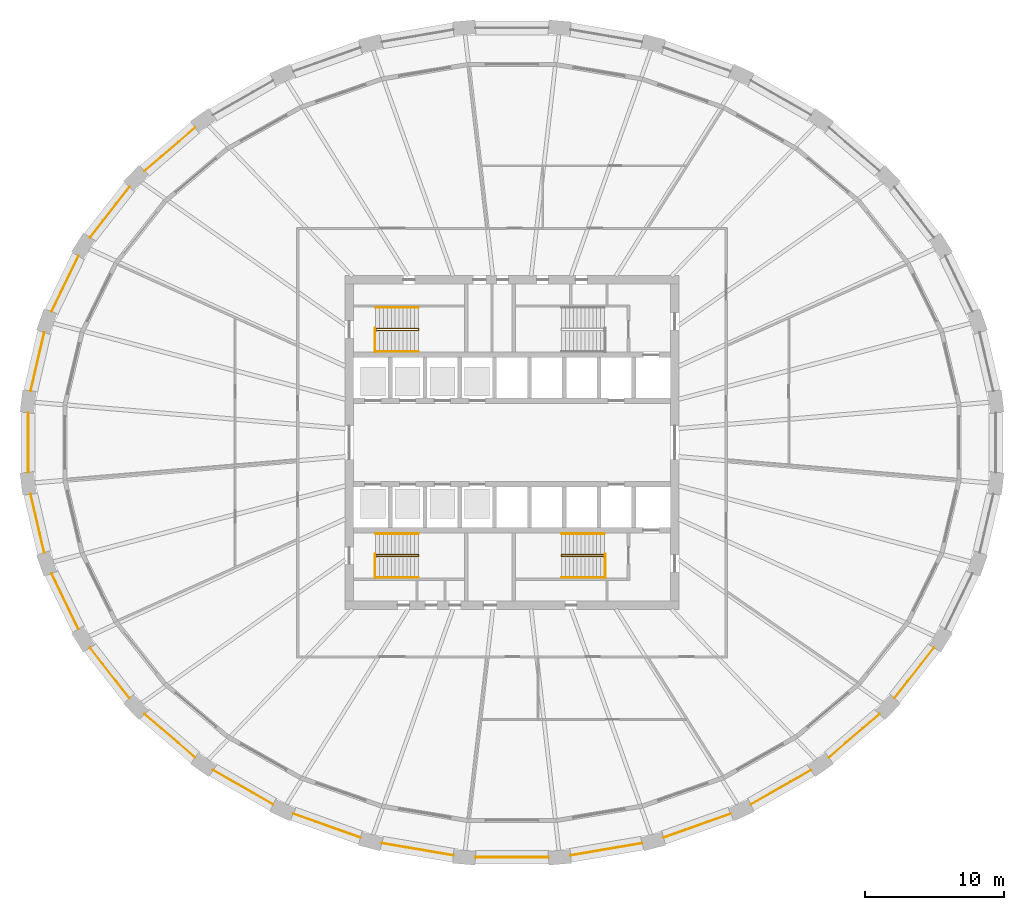
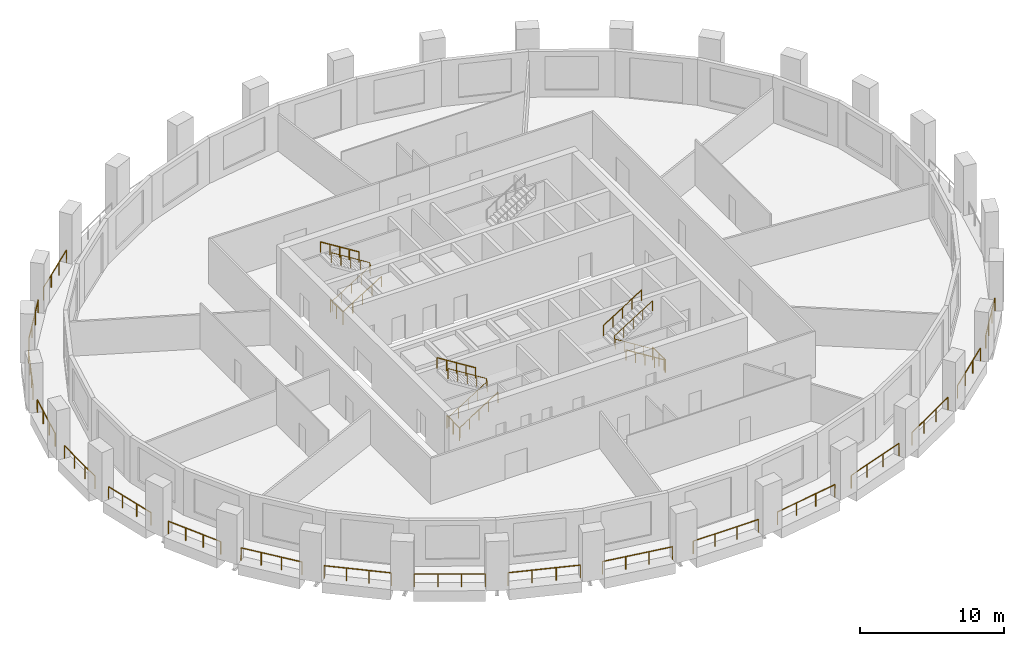
# One storey, part 8 of 10: 30 railings.
"""IFC4 building model written with IfcOpenShell, lengths in metres."""

from ifc_helpers import new_model, si_unit, direction, frame, origin, origin_2d, place, context, subcontext, project, spatial, circle, extrude, material, type_object, element, save


model = new_model("IFC4")

# Units and contexts
model_context = context("Model", 3, precision=1e-05, world=origin(), true_north=direction((0.0, 1.0)))
body_context = subcontext(model_context, "Body", "Model", "MODEL_VIEW")
ifc_project = project(units=[si_unit("LENGTHUNIT", "METRE"), si_unit("AREAUNIT", "SQUARE_METRE"), si_unit("VOLUMEUNIT", "CUBIC_METRE"), si_unit("PLANEANGLEUNIT", "RADIAN"), si_unit("MASSUNIT", "GRAM", prefix="KILO")], contexts=[model_context])

# Site, building, storey
site_placement = place(None, origin())
site = spatial("IfcSite", under=ifc_project, at=site_placement, CompositionType="ELEMENT")
building_placement = place(site_placement, origin())
building = spatial("IfcBuilding", under=site, at=building_placement, Name="Halqa Exchange Tower", CompositionType="ELEMENT")
storey_placement = place(building_placement, frame((0.0, 0.0, 117.10009765625)))
storey = spatial("IfcBuildingStorey", under=building, at=storey_placement, Name="L26", CompositionType="ELEMENT", Elevation=117.10009765625)

# Railings
ifc_material = material(Name="Stainless steel", Category="steel")
railing_type_1 = type_object("IfcRailingType", Name="Guard 1100 stainless steel", PredefinedType="GUARDRAIL", material=ifc_material)
railing_1_placement = place(storey_placement, frame((-22.77783203125, 22.635009765625, 0.0)))
element("IfcRailing", 1, at=railing_1_placement, inside=storey, type_object=railing_type_1, Name="Loggia guard 12", PredefinedType="GUARDRAIL", context=body_context, shape_type="SweptSolid", body=[
    extrude(circle(Radius=0.02392578125, at=origin_2d()), frame((0.0, 0.0, 1.076171875), z_axis=(-0.759213341011, -0.650841841641, 0.0), x_axis=(0.650841841641, -0.759213341011, 0.0)), (0.0, 0.0, 1.0), 4.780517578125),
    extrude(circle(Radius=0.02099609375, at=origin_2d()), origin(), (0.0, 0.0, 1.0), 1.052001953125),
    extrude(circle(Radius=0.02099609375, at=origin_2d()), frame((-1.209716796875, -1.037109375, 0.0)), (0.0, 0.0, 1.0), 1.052001953125),
    extrude(circle(Radius=0.02099609375, at=origin_2d()), frame((-2.419677734375, -2.07421875, 0.0)), (0.0, 0.0, 1.0), 1.052001953125),
    extrude(circle(Radius=0.02099609375, at=origin_2d()), frame((-3.62939453125, -3.111328125, 0.0)), (0.0, 0.0, 1.0), 1.052001953125),
])
railing_2_placement = place(storey_placement, frame((-27.506591796875, 18.372314453125, 0.0)))
element("IfcRailing", 2, at=railing_2_placement, inside=storey, type_object=railing_type_1, Name="Loggia guard 13", PredefinedType="GUARDRAIL", context=body_context, shape_type="SweptSolid", body=[
    extrude(circle(Radius=0.02392578125, at=origin_2d()), frame((0.0, 0.0, 1.076171875), z_axis=(-0.614794379483, -0.788687435526, 0.0), x_axis=(0.788687435526, -0.614794379483, 0.0)), (0.0, 0.0, 1.0), 4.591064453125),
    extrude(circle(Radius=0.02099609375, at=origin_2d()), origin(), (0.0, 0.0, 1.0), 1.052001953125),
    extrude(circle(Radius=0.02099609375, at=origin_2d()), frame((-0.94091796875, -1.20703125, 0.0)), (0.0, 0.0, 1.0), 1.052001953125),
    extrude(circle(Radius=0.02099609375, at=origin_2d()), frame((-1.881591796875, -2.413818359375, 0.0)), (0.0, 0.0, 1.0), 1.052001953125),
    extrude(circle(Radius=0.02099609375, at=origin_2d()), frame((-2.822509765625, -3.620849609375, 0.0)), (0.0, 0.0, 1.0), 1.052001953125),
])
railing_3_placement = place(storey_placement, frame((-31.1689453125, 13.400390625, 0.0)))
element("IfcRailing", 3, at=railing_3_placement, inside=storey, type_object=railing_type_1, Name="Loggia guard 14", PredefinedType="GUARDRAIL", context=body_context, shape_type="SweptSolid", body=[
    extrude(circle(Radius=0.02392578125, at=origin_2d()), frame((0.0, 0.0, 1.076171875), z_axis=(-0.43510232477, -0.900381012117, 0.0), x_axis=(0.900381012117, -0.43510232477, 0.0)), (0.0, 0.0, 1.0), 4.425537109375),
    extrude(circle(Radius=0.02099609375, at=origin_2d()), origin(), (0.0, 0.0, 1.0), 1.052001953125),
    extrude(circle(Radius=0.02099609375, at=origin_2d()), frame((-0.641845703125, -1.328125, 0.0)), (0.0, 0.0, 1.0), 1.052001953125),
    extrude(circle(Radius=0.02099609375, at=origin_2d()), frame((-1.28369140625, -2.656494140625, 0.0)), (0.0, 0.0, 1.0), 1.052001953125),
    extrude(circle(Radius=0.02099609375, at=origin_2d()), frame((-1.925537109375, -3.984619140625, 0.0)), (0.0, 0.0, 1.0), 1.052001953125),
])
railing_4_placement = place(storey_placement, frame((-33.623291015625, 7.916015625, 0.0)))
element("IfcRailing", 4, at=railing_4_placement, inside=storey, type_object=railing_type_1, Name="Loggia guard 15", PredefinedType="GUARDRAIL", context=body_context, shape_type="SweptSolid", body=[
    extrude(circle(Radius=0.02392578125, at=origin_2d()), frame((0.0, 0.0, 1.076171875), z_axis=(-0.226116277414, -0.974100317774, 0.0), x_axis=(0.974100317774, -0.226116277414, 0.0)), (0.0, 0.0, 1.0), 4.312255859375),
    extrude(circle(Radius=0.02099609375, at=origin_2d()), origin(), (0.0, 0.0, 1.0), 1.052001953125),
    extrude(circle(Radius=0.02099609375, at=origin_2d()), frame((-0.324951171875, -1.400146484375, 0.0)), (0.0, 0.0, 1.0), 1.052001953125),
    extrude(circle(Radius=0.02099609375, at=origin_2d()), frame((-0.650146484375, -2.800537109375, 0.0)), (0.0, 0.0, 1.0), 1.052001953125),
    extrude(circle(Radius=0.02099609375, at=origin_2d()), frame((-0.97509765625, -4.20068359375, 0.0)), (0.0, 0.0, 1.0), 1.052001953125),
])
railing_5_placement = place(storey_placement, frame((-34.779052734375, 2.135986328125, 0.0)))
element("IfcRailing", 5, at=railing_5_placement, inside=storey, type_object=railing_type_1, Name="Loggia guard 16", PredefinedType="GUARDRAIL", context=body_context, shape_type="SweptSolid", body=[
    extrude(circle(Radius=0.02392578125, at=origin_2d()), frame((0.0, 0.0, 1.076171875), z_axis=(0.0, -1.0, 0.0), x_axis=(1.0, 0.0, 0.0)), (0.0, 0.0, 1.0), 4.27197265625),
    extrude(circle(Radius=0.02099609375, at=origin_2d()), origin(), (0.0, 0.0, 1.0), 1.052001953125),
    extrude(circle(Radius=0.02099609375, at=origin_2d()), frame((0.0, -1.424072265625, 0.0)), (0.0, 0.0, 1.0), 1.052001953125),
    extrude(circle(Radius=0.02099609375, at=origin_2d()), frame((0.0, -2.847900390625, 0.0)), (0.0, 0.0, 1.0), 1.052001953125),
    extrude(circle(Radius=0.02099609375, at=origin_2d()), frame((0.0, -4.27197265625, 0.0)), (0.0, 0.0, 1.0), 1.052001953125),
])
railing_6_placement = place(storey_placement, frame((-34.598388671875, -3.71533203125, 0.0)))
element("IfcRailing", 6, at=railing_6_placement, inside=storey, type_object=railing_type_1, Name="Loggia guard 17", PredefinedType="GUARDRAIL", context=body_context, shape_type="SweptSolid", body=[
    extrude(circle(Radius=0.02392578125, at=origin_2d()), frame((0.0, 0.0, 1.076171875), z_axis=(0.226116277414, -0.974100317774, 0.0), x_axis=(0.974100317774, 0.226116277414, 0.0)), (0.0, 0.0, 1.0), 4.312255859375),
    extrude(circle(Radius=0.02099609375, at=origin_2d()), origin(), (0.0, 0.0, 1.0), 1.052001953125),
    extrude(circle(Radius=0.02099609375, at=origin_2d()), frame((0.324951171875, -1.400146484375, 0.0)), (0.0, 0.0, 1.0), 1.052001953125),
    extrude(circle(Radius=0.02099609375, at=origin_2d()), frame((0.650146484375, -2.800537109375, 0.0)), (0.0, 0.0, 1.0), 1.052001953125),
    extrude(circle(Radius=0.02099609375, at=origin_2d()), frame((0.97509765625, -4.20068359375, 0.0)), (0.0, 0.0, 1.0), 1.052001953125),
])
railing_7_placement = place(storey_placement, frame((-33.094482421875, -9.415771484375, 0.0)))
element("IfcRailing", 7, at=railing_7_placement, inside=storey, type_object=railing_type_1, Name="Loggia guard 18", PredefinedType="GUARDRAIL", context=body_context, shape_type="SweptSolid", body=[
    extrude(circle(Radius=0.02392578125, at=origin_2d()), frame((0.0, 0.0, 1.076171875), z_axis=(0.43510232477, -0.900381012117, 0.0), x_axis=(0.900381012117, 0.43510232477, 0.0)), (0.0, 0.0, 1.0), 4.425537109375),
    extrude(circle(Radius=0.02099609375, at=origin_2d()), origin(), (0.0, 0.0, 1.0), 1.052001953125),
    extrude(circle(Radius=0.02099609375, at=origin_2d()), frame((0.641845703125, -1.328125, 0.0)), (0.0, 0.0, 1.0), 1.052001953125),
    extrude(circle(Radius=0.02099609375, at=origin_2d()), frame((1.28369140625, -2.656494140625, 0.0)), (0.0, 0.0, 1.0), 1.052001953125),
    extrude(circle(Radius=0.02099609375, at=origin_2d()), frame((1.925537109375, -3.984619140625, 0.0)), (0.0, 0.0, 1.0), 1.052001953125),
])
railing_8_placement = place(storey_placement, frame((-30.3291015625, -14.75146484375, 0.0)))
element("IfcRailing", 8, at=railing_8_placement, inside=storey, type_object=railing_type_1, Name="Loggia guard 19", PredefinedType="GUARDRAIL", context=body_context, shape_type="SweptSolid", body=[
    extrude(circle(Radius=0.02392578125, at=origin_2d()), frame((0.0, 0.0, 1.076171875), z_axis=(0.614794379483, -0.788687435526, 0.0), x_axis=(0.788687435526, 0.614794379483, 0.0)), (0.0, 0.0, 1.0), 4.591064453125),
    extrude(circle(Radius=0.02099609375, at=origin_2d()), origin(), (0.0, 0.0, 1.0), 1.052001953125),
    extrude(circle(Radius=0.02099609375, at=origin_2d()), frame((0.94091796875, -1.20703125, 0.0)), (0.0, 0.0, 1.0), 1.052001953125),
    extrude(circle(Radius=0.02099609375, at=origin_2d()), frame((1.881591796875, -2.413818359375, 0.0)), (0.0, 0.0, 1.0), 1.052001953125),
    extrude(circle(Radius=0.02099609375, at=origin_2d()), frame((2.822509765625, -3.620849609375, 0.0)), (0.0, 0.0, 1.0), 1.052001953125),
])
railing_9_placement = place(storey_placement, frame((-26.4072265625, -19.523681640625, 0.0)))
element("IfcRailing", 9, at=railing_9_placement, inside=storey, type_object=railing_type_1, Name="Loggia guard 20", PredefinedType="GUARDRAIL", context=body_context, shape_type="SweptSolid", body=[
    extrude(circle(Radius=0.02392578125, at=origin_2d()), frame((0.0, 0.0, 1.076171875), z_axis=(0.759213341011, -0.650841841641, 0.0), x_axis=(0.650841841641, 0.759213341011, 0.0)), (0.0, 0.0, 1.0), 4.780517578125),
    extrude(circle(Radius=0.02099609375, at=origin_2d()), origin(), (0.0, 0.0, 1.0), 1.052001953125),
    extrude(circle(Radius=0.02099609375, at=origin_2d()), frame((1.209716796875, -1.037109375, 0.0)), (0.0, 0.0, 1.0), 1.052001953125),
    extrude(circle(Radius=0.02099609375, at=origin_2d()), frame((2.419677734375, -2.07421875, 0.0)), (0.0, 0.0, 1.0), 1.052001953125),
    extrude(circle(Radius=0.02099609375, at=origin_2d()), frame((3.62939453125, -3.111328125, 0.0)), (0.0, 0.0, 1.0), 1.052001953125),
])
railing_10_placement = place(storey_placement, frame((-21.476318359375, -23.552978515625, 0.0)))
element("IfcRailing", 10, at=railing_10_placement, inside=storey, type_object=railing_type_1, Name="Loggia guard 21", PredefinedType="GUARDRAIL", context=body_context, shape_type="SweptSolid", body=[
    extrude(circle(Radius=0.02392578125, at=origin_2d()), frame((0.0, 0.0, 1.076171875), z_axis=(0.867764594192, -0.496975461232, 0.0), x_axis=(0.496975461232, 0.867764594192, 0.0)), (0.0, 0.0, 1.0), 4.964599609375),
    extrude(circle(Radius=0.02099609375, at=origin_2d()), origin(), (0.0, 0.0, 1.0), 1.052001953125),
    extrude(circle(Radius=0.02099609375, at=origin_2d()), frame((1.43603515625, -0.822509765625, 0.0)), (0.0, 0.0, 1.0), 1.052001953125),
    extrude(circle(Radius=0.02099609375, at=origin_2d()), frame((2.8720703125, -1.644775390625, 0.0)), (0.0, 0.0, 1.0), 1.052001953125),
    extrude(circle(Radius=0.02099609375, at=origin_2d()), frame((4.30810546875, -2.46728515625, 0.0)), (0.0, 0.0, 1.0), 1.052001953125),
])
railing_11_placement = place(storey_placement, frame((-15.72021484375, -26.685546875, 0.0)))
element("IfcRailing", 11, at=railing_11_placement, inside=storey, type_object=railing_type_1, Name="Loggia guard 22", PredefinedType="GUARDRAIL", context=body_context, shape_type="SweptSolid", body=[
    extrude(circle(Radius=0.02392578125, at=origin_2d()), frame((0.0, 0.0, 1.076171875), z_axis=(0.942363208547, -0.334591666329, 0.0), x_axis=(0.334591666329, 0.942363208547, 0.0)), (0.0, 0.0, 1.0), 5.116455078125),
    extrude(circle(Radius=0.02099609375, at=origin_2d()), origin(), (0.0, 0.0, 1.0), 1.052001953125),
    extrude(circle(Radius=0.02099609375, at=origin_2d()), frame((1.607177734375, -0.570556640625, 0.0)), (0.0, 0.0, 1.0), 1.052001953125),
    extrude(circle(Radius=0.02099609375, at=origin_2d()), frame((3.21435546875, -1.141357421875, 0.0)), (0.0, 0.0, 1.0), 1.052001953125),
    extrude(circle(Radius=0.02099609375, at=origin_2d()), frame((4.821533203125, -1.7119140625, 0.0)), (0.0, 0.0, 1.0), 1.052001953125),
])
railing_12_placement = place(storey_placement, frame((-9.356201171875, -28.799560546875, 0.0)))
element("IfcRailing", 12, at=railing_12_placement, inside=storey, type_object=railing_type_1, Name="Loggia guard 23", PredefinedType="GUARDRAIL", context=body_context, shape_type="SweptSolid", body=[
    extrude(circle(Radius=0.02392578125, at=origin_2d()), frame((0.0, 0.0, 1.076171875), z_axis=(0.985774843574, -0.168071287782, 0.0), x_axis=(0.168071287782, 0.985774843574, 0.0)), (0.0, 0.0, 1.0), 5.21630859375),
    extrude(circle(Radius=0.02099609375, at=origin_2d()), origin(), (0.0, 0.0, 1.0), 1.052001953125),
    extrude(circle(Radius=0.02099609375, at=origin_2d()), frame((1.714111328125, -0.292236328125, 0.0)), (0.0, 0.0, 1.0), 1.052001953125),
    extrude(circle(Radius=0.02099609375, at=origin_2d()), frame((3.427978515625, -0.58447265625, 0.0)), (0.0, 0.0, 1.0), 1.052001953125),
    extrude(circle(Radius=0.02099609375, at=origin_2d()), frame((5.14208984375, -0.876708984375, 0.0)), (0.0, 0.0, 1.0), 1.052001953125),
])
railing_13_placement = place(storey_placement, frame((-2.62548828125, -29.810791015625, 0.0)))
element("IfcRailing", 13, at=railing_13_placement, inside=storey, type_object=railing_type_1, Name="Loggia guard 24", PredefinedType="GUARDRAIL", context=body_context, shape_type="SweptSolid", body=[
    extrude(circle(Radius=0.02392578125, at=origin_2d()), frame((0.0, 0.0, 1.076171875), z_axis=(1.0, 0.0, 0.0), x_axis=(0.0, 1.0, 0.0)), (0.0, 0.0, 1.0), 5.2509765625),
    extrude(circle(Radius=0.02099609375, at=origin_2d()), origin(), (0.0, 0.0, 1.0), 1.052001953125),
    extrude(circle(Radius=0.02099609375, at=origin_2d()), frame((1.750244140625, 0.0, 0.0)), (0.0, 0.0, 1.0), 1.052001953125),
    extrude(circle(Radius=0.02099609375, at=origin_2d()), frame((3.500732421875, 0.0, 0.0)), (0.0, 0.0, 1.0), 1.052001953125),
    extrude(circle(Radius=0.02099609375, at=origin_2d()), frame((5.2509765625, 0.0, 0.0)), (0.0, 0.0, 1.0), 1.052001953125),
])
railing_14_placement = place(storey_placement, frame((4.214111328125, -29.67626953125, 0.0)))
element("IfcRailing", 14, at=railing_14_placement, inside=storey, type_object=railing_type_1, Name="Loggia guard 25", PredefinedType="GUARDRAIL", context=body_context, shape_type="SweptSolid", body=[
    extrude(circle(Radius=0.02392578125, at=origin_2d()), frame((0.0, 0.0, 1.076171875), z_axis=(0.985774843574, 0.168071287782, 0.0), x_axis=(-0.168071287782, 0.985774843574, 0.0)), (0.0, 0.0, 1.0), 5.21630859375),
    extrude(circle(Radius=0.02099609375, at=origin_2d()), origin(), (0.0, 0.0, 1.0), 1.052001953125),
    extrude(circle(Radius=0.02099609375, at=origin_2d()), frame((1.714111328125, 0.292236328125, 0.0)), (0.0, 0.0, 1.0), 1.052001953125),
    extrude(circle(Radius=0.02099609375, at=origin_2d()), frame((3.427978515625, 0.58447265625, 0.0)), (0.0, 0.0, 1.0), 1.052001953125),
    extrude(circle(Radius=0.02099609375, at=origin_2d()), frame((5.14208984375, 0.876708984375, 0.0)), (0.0, 0.0, 1.0), 1.052001953125),
])
railing_15_placement = place(storey_placement, frame((10.898681640625, -28.3974609375, 0.0)))
element("IfcRailing", 15, at=railing_15_placement, inside=storey, type_object=railing_type_1, Name="Loggia guard 26", PredefinedType="GUARDRAIL", context=body_context, shape_type="SweptSolid", body=[
    extrude(circle(Radius=0.02392578125, at=origin_2d()), frame((0.0, 0.0, 1.076171875), z_axis=(0.942363208547, 0.334591666329, 0.0), x_axis=(-0.334591666329, 0.942363208547, 0.0)), (0.0, 0.0, 1.0), 5.116455078125),
    extrude(circle(Radius=0.02099609375, at=origin_2d()), origin(), (0.0, 0.0, 1.0), 1.052001953125),
    extrude(circle(Radius=0.02099609375, at=origin_2d()), frame((1.607177734375, 0.570556640625, 0.0)), (0.0, 0.0, 1.0), 1.052001953125),
    extrude(circle(Radius=0.02099609375, at=origin_2d()), frame((3.21435546875, 1.141357421875, 0.0)), (0.0, 0.0, 1.0), 1.052001953125),
    extrude(circle(Radius=0.02099609375, at=origin_2d()), frame((4.821533203125, 1.7119140625, 0.0)), (0.0, 0.0, 1.0), 1.052001953125),
])
railing_16_placement = place(storey_placement, frame((17.168212890625, -26.020263671875, 0.0)))
element("IfcRailing", 16, at=railing_16_placement, inside=storey, type_object=railing_type_1, Name="Loggia guard 27", PredefinedType="GUARDRAIL", context=body_context, shape_type="SweptSolid", body=[
    extrude(circle(Radius=0.02392578125, at=origin_2d()), frame((0.0, 0.0, 1.076171875), z_axis=(0.867764594192, 0.496975461232, 0.0), x_axis=(-0.496975461232, 0.867764594192, 0.0)), (0.0, 0.0, 1.0), 4.964599609375),
    extrude(circle(Radius=0.02099609375, at=origin_2d()), origin(), (0.0, 0.0, 1.0), 1.052001953125),
    extrude(circle(Radius=0.02099609375, at=origin_2d()), frame((1.43603515625, 0.822509765625, 0.0)), (0.0, 0.0, 1.0), 1.052001953125),
    extrude(circle(Radius=0.02099609375, at=origin_2d()), frame((2.8720703125, 1.644775390625, 0.0)), (0.0, 0.0, 1.0), 1.052001953125),
    extrude(circle(Radius=0.02099609375, at=origin_2d()), frame((4.30810546875, 2.46728515625, 0.0)), (0.0, 0.0, 1.0), 1.052001953125),
])
railing_17_placement = place(storey_placement, frame((22.77783203125, -22.635009765625, 0.0)))
element("IfcRailing", 17, at=railing_17_placement, inside=storey, type_object=railing_type_1, Name="Loggia guard 28", PredefinedType="GUARDRAIL", context=body_context, shape_type="SweptSolid", body=[
    extrude(circle(Radius=0.02392578125, at=origin_2d()), frame((0.0, 0.0, 1.076171875), z_axis=(0.759213341011, 0.650841841641, 0.0), x_axis=(-0.650841841641, 0.759213341011, 0.0)), (0.0, 0.0, 1.0), 4.780517578125),
    extrude(circle(Radius=0.02099609375, at=origin_2d()), origin(), (0.0, 0.0, 1.0), 1.052001953125),
    extrude(circle(Radius=0.02099609375, at=origin_2d()), frame((1.209716796875, 1.037109375, 0.0)), (0.0, 0.0, 1.0), 1.052001953125),
    extrude(circle(Radius=0.02099609375, at=origin_2d()), frame((2.419677734375, 2.07421875, 0.0)), (0.0, 0.0, 1.0), 1.052001953125),
    extrude(circle(Radius=0.02099609375, at=origin_2d()), frame((3.62939453125, 3.111328125, 0.0)), (0.0, 0.0, 1.0), 1.052001953125),
])
railing_18_placement = place(storey_placement, frame((27.506591796875, -18.372314453125, 0.0)))
element("IfcRailing", 18, at=railing_18_placement, inside=storey, type_object=railing_type_1, Name="Loggia guard 29", PredefinedType="GUARDRAIL", context=body_context, shape_type="SweptSolid", body=[
    extrude(circle(Radius=0.02392578125, at=origin_2d()), frame((0.0, 0.0, 1.076171875), z_axis=(0.614794379483, 0.788687435526, 0.0), x_axis=(-0.788687435526, 0.614794379483, 0.0)), (0.0, 0.0, 1.0), 4.591064453125),
    extrude(circle(Radius=0.02099609375, at=origin_2d()), origin(), (0.0, 0.0, 1.0), 1.052001953125),
    extrude(circle(Radius=0.02099609375, at=origin_2d()), frame((0.94091796875, 1.20703125, 0.0)), (0.0, 0.0, 1.0), 1.052001953125),
    extrude(circle(Radius=0.02099609375, at=origin_2d()), frame((1.881591796875, 2.413818359375, 0.0)), (0.0, 0.0, 1.0), 1.052001953125),
    extrude(circle(Radius=0.02099609375, at=origin_2d()), frame((2.822509765625, 3.620849609375, 0.0)), (0.0, 0.0, 1.0), 1.052001953125),
])
railing_type_2 = type_object("IfcRailingType", Name="Stair handrail 900", PredefinedType="HANDRAIL", material=ifc_material)
railing_19_placement = place(storey_placement, frame((-9.800048828125, 8.06005859375, 0.1748046875)))
element("IfcRailing", 19, at=railing_19_placement, inside=storey, type_object=railing_type_2, Name="Handrail ST1.1", PredefinedType="HANDRAIL", context=body_context, shape_type="SweptSolid", body=[
    extrude(circle(Radius=0.02392578125, at=origin_2d()), frame((0.0, 0.0, 0.8759765625), z_axis=(0.847998304005, 0.0, 0.529998940003), x_axis=(0.0, 1.0, 0.0)), (0.0, 0.0, 1.0), 3.632080078125),
    extrude(circle(Radius=0.02392578125, at=origin_2d()), frame((3.080078125, 0.0, 2.80078125), z_axis=(0.0, 0.595870227118, 0.803080738428), x_axis=(-1.0, 0.0, 0.0)), (0.0, 0.0, 1.0), 0.218017578125),
    extrude(circle(Radius=0.02392578125, at=origin_2d()), frame((3.080078125, 0.1298828125, 2.97607421875), z_axis=(-0.847998304005, 0.0, 0.529998940003), x_axis=(0.0, -1.0, 0.0)), (0.0, 0.0, 1.0), 3.632080078125),
    extrude(circle(Radius=0.02099609375, at=origin_2d()), origin(), (0.0, 0.0, 1.0), 0.851806640625),
    extrude(circle(Radius=0.02099609375, at=origin_2d()), frame((0.77001953125, 0.0, 0.481201171875)), (0.0, 0.0, 1.0), 0.851806640625),
    extrude(circle(Radius=0.02099609375, at=origin_2d()), frame((1.5400390625, 0.0, 0.96240234375)), (0.0, 0.0, 1.0), 0.851806640625),
    extrude(circle(Radius=0.02099609375, at=origin_2d()), frame((2.31005859375, 0.0, 1.44384765625)), (0.0, 0.0, 1.0), 0.851806640625),
    extrude(circle(Radius=0.02099609375, at=origin_2d()), frame((3.080078125, 0.0, 1.925048828125)), (0.0, 0.0, 1.0), 0.851806640625),
    extrude(circle(Radius=0.02099609375, at=origin_2d()), frame((3.080078125, 0.1298828125, 2.10009765625)), (0.0, 0.0, 1.0), 0.851806640625),
    extrude(circle(Radius=0.02099609375, at=origin_2d()), frame((2.31005859375, 0.1298828125, 2.581298828125)), (0.0, 0.0, 1.0), 0.851806640625),
    extrude(circle(Radius=0.02099609375, at=origin_2d()), frame((1.5400390625, 0.1298828125, 3.0625)), (0.0, 0.0, 1.0), 0.851806640625),
    extrude(circle(Radius=0.02099609375, at=origin_2d()), frame((0.77001953125, 0.1298828125, 3.5439453125)), (0.0, 0.0, 1.0), 0.851806640625),
    extrude(circle(Radius=0.02099609375, at=origin_2d()), frame((0.0, 0.1298828125, 4.025146484375)), (0.0, 0.0, 1.0), 0.851806640625),
])
railing_20_placement = place(storey_placement, frame((-9.800048828125, 6.550048828125, 0.1748046875)))
element("IfcRailing", 20, at=railing_20_placement, inside=storey, type_object=railing_type_2, Name="Handrail ST1.2", PredefinedType="HANDRAIL", context=body_context, shape_type="SweptSolid", body=[
    extrude(circle(Radius=0.02392578125, at=origin_2d()), frame((0.0, 0.0, 0.8759765625), z_axis=(0.847998304005, 0.0, 0.529998940003), x_axis=(0.0, 1.0, 0.0)), (0.0, 0.0, 1.0), 3.632080078125),
    extrude(circle(Radius=0.02099609375, at=origin_2d()), origin(), (0.0, 0.0, 1.0), 0.851806640625),
    extrude(circle(Radius=0.02099609375, at=origin_2d()), frame((0.77001953125, 0.0, 0.481201171875)), (0.0, 0.0, 1.0), 0.851806640625),
    extrude(circle(Radius=0.02099609375, at=origin_2d()), frame((1.5400390625, 0.0, 0.96240234375)), (0.0, 0.0, 1.0), 0.851806640625),
    extrude(circle(Radius=0.02099609375, at=origin_2d()), frame((2.31005859375, 0.0, 1.44384765625)), (0.0, 0.0, 1.0), 0.851806640625),
    extrude(circle(Radius=0.02099609375, at=origin_2d()), frame((3.080078125, 0.0, 1.925048828125)), (0.0, 0.0, 1.0), 0.851806640625),
])
railing_21_placement = place(storey_placement, frame((-6.719970703125, 9.699951171875, 2.27490234375)))
element("IfcRailing", 21, at=railing_21_placement, inside=storey, type_object=railing_type_2, Name="Handrail ST1.3", PredefinedType="HANDRAIL", context=body_context, shape_type="SweptSolid", body=[
    extrude(circle(Radius=0.02392578125, at=origin_2d()), frame((0.0, 0.0, 0.8759765625), z_axis=(-0.847998304005, 0.0, 0.529998940003), x_axis=(0.0, -1.0, 0.0)), (0.0, 0.0, 1.0), 3.632080078125),
    extrude(circle(Radius=0.02099609375, at=origin_2d()), origin(), (0.0, 0.0, 1.0), 0.851806640625),
    extrude(circle(Radius=0.02099609375, at=origin_2d()), frame((-0.77001953125, 0.0, 0.481201171875)), (0.0, 0.0, 1.0), 0.851806640625),
    extrude(circle(Radius=0.02099609375, at=origin_2d()), frame((-1.5400390625, 0.0, 0.96240234375)), (0.0, 0.0, 1.0), 0.851806640625),
    extrude(circle(Radius=0.02099609375, at=origin_2d()), frame((-2.31005859375, 0.0, 1.44384765625)), (0.0, 0.0, 1.0), 0.851806640625),
    extrude(circle(Radius=0.02099609375, at=origin_2d()), frame((-3.080078125, 0.0, 1.925048828125)), (0.0, 0.0, 1.0), 0.851806640625),
])
railing_22_placement = place(storey_placement, frame((-9.800048828125, -8.18994140625, 0.1748046875)))
element("IfcRailing", 22, at=railing_22_placement, inside=storey, type_object=railing_type_2, Name="Handrail ST3.1", PredefinedType="HANDRAIL", context=body_context, shape_type="SweptSolid", body=[
    extrude(circle(Radius=0.02392578125, at=origin_2d()), frame((0.0, 0.0, 0.8759765625), z_axis=(0.847998304005, 0.0, 0.529998940003), x_axis=(0.0, 1.0, 0.0)), (0.0, 0.0, 1.0), 3.632080078125),
    extrude(circle(Radius=0.02392578125, at=origin_2d()), frame((3.080078125, 0.0, 2.80078125), z_axis=(0.0, 0.595870227118, 0.803080738428), x_axis=(-1.0, 0.0, 0.0)), (0.0, 0.0, 1.0), 0.218017578125),
    extrude(circle(Radius=0.02392578125, at=origin_2d()), frame((3.080078125, 0.1298828125, 2.97607421875), z_axis=(-0.847998304005, 0.0, 0.529998940003), x_axis=(0.0, -1.0, 0.0)), (0.0, 0.0, 1.0), 3.632080078125),
    extrude(circle(Radius=0.02099609375, at=origin_2d()), origin(), (0.0, 0.0, 1.0), 0.851806640625),
    extrude(circle(Radius=0.02099609375, at=origin_2d()), frame((0.77001953125, 0.0, 0.481201171875)), (0.0, 0.0, 1.0), 0.851806640625),
    extrude(circle(Radius=0.02099609375, at=origin_2d()), frame((1.5400390625, 0.0, 0.96240234375)), (0.0, 0.0, 1.0), 0.851806640625),
    extrude(circle(Radius=0.02099609375, at=origin_2d()), frame((2.31005859375, 0.0, 1.44384765625)), (0.0, 0.0, 1.0), 0.851806640625),
    extrude(circle(Radius=0.02099609375, at=origin_2d()), frame((3.080078125, 0.0, 1.925048828125)), (0.0, 0.0, 1.0), 0.851806640625),
    extrude(circle(Radius=0.02099609375, at=origin_2d()), frame((3.080078125, 0.1298828125, 2.10009765625)), (0.0, 0.0, 1.0), 0.851806640625),
    extrude(circle(Radius=0.02099609375, at=origin_2d()), frame((2.31005859375, 0.1298828125, 2.581298828125)), (0.0, 0.0, 1.0), 0.851806640625),
    extrude(circle(Radius=0.02099609375, at=origin_2d()), frame((1.5400390625, 0.1298828125, 3.0625)), (0.0, 0.0, 1.0), 0.851806640625),
    extrude(circle(Radius=0.02099609375, at=origin_2d()), frame((0.77001953125, 0.1298828125, 3.5439453125)), (0.0, 0.0, 1.0), 0.851806640625),
    extrude(circle(Radius=0.02099609375, at=origin_2d()), frame((0.0, 0.1298828125, 4.025146484375)), (0.0, 0.0, 1.0), 0.851806640625),
])
railing_23_placement = place(storey_placement, frame((-9.800048828125, -9.699951171875, 0.1748046875)))
element("IfcRailing", 23, at=railing_23_placement, inside=storey, type_object=railing_type_2, Name="Handrail ST3.2", PredefinedType="HANDRAIL", context=body_context, shape_type="SweptSolid", body=[
    extrude(circle(Radius=0.02392578125, at=origin_2d()), frame((0.0, 0.0, 0.8759765625), z_axis=(0.847998304005, 0.0, 0.529998940003), x_axis=(0.0, 1.0, 0.0)), (0.0, 0.0, 1.0), 3.632080078125),
    extrude(circle(Radius=0.02099609375, at=origin_2d()), origin(), (0.0, 0.0, 1.0), 0.851806640625),
    extrude(circle(Radius=0.02099609375, at=origin_2d()), frame((0.77001953125, 0.0, 0.481201171875)), (0.0, 0.0, 1.0), 0.851806640625),
    extrude(circle(Radius=0.02099609375, at=origin_2d()), frame((1.5400390625, 0.0, 0.96240234375)), (0.0, 0.0, 1.0), 0.851806640625),
    extrude(circle(Radius=0.02099609375, at=origin_2d()), frame((2.31005859375, 0.0, 1.44384765625)), (0.0, 0.0, 1.0), 0.851806640625),
    extrude(circle(Radius=0.02099609375, at=origin_2d()), frame((3.080078125, 0.0, 1.925048828125)), (0.0, 0.0, 1.0), 0.851806640625),
])
railing_24_placement = place(storey_placement, frame((-6.719970703125, -6.550048828125, 2.27490234375)))
element("IfcRailing", 24, at=railing_24_placement, inside=storey, type_object=railing_type_2, Name="Handrail ST3.3", PredefinedType="HANDRAIL", context=body_context, shape_type="SweptSolid", body=[
    extrude(circle(Radius=0.02392578125, at=origin_2d()), frame((0.0, 0.0, 0.8759765625), z_axis=(-0.847998304005, 0.0, 0.529998940003), x_axis=(0.0, -1.0, 0.0)), (0.0, 0.0, 1.0), 3.632080078125),
    extrude(circle(Radius=0.02099609375, at=origin_2d()), origin(), (0.0, 0.0, 1.0), 0.851806640625),
    extrude(circle(Radius=0.02099609375, at=origin_2d()), frame((-0.77001953125, 0.0, 0.481201171875)), (0.0, 0.0, 1.0), 0.851806640625),
    extrude(circle(Radius=0.02099609375, at=origin_2d()), frame((-1.5400390625, 0.0, 0.96240234375)), (0.0, 0.0, 1.0), 0.851806640625),
    extrude(circle(Radius=0.02099609375, at=origin_2d()), frame((-2.31005859375, 0.0, 1.44384765625)), (0.0, 0.0, 1.0), 0.851806640625),
    extrude(circle(Radius=0.02099609375, at=origin_2d()), frame((-3.080078125, 0.0, 1.925048828125)), (0.0, 0.0, 1.0), 0.851806640625),
])
railing_25_placement = place(storey_placement, frame((6.64990234375, -8.18994140625, 0.1748046875)))
element("IfcRailing", 25, at=railing_25_placement, inside=storey, type_object=railing_type_2, Name="Handrail ST4.1", PredefinedType="HANDRAIL", context=body_context, shape_type="SweptSolid", body=[
    extrude(circle(Radius=0.02392578125, at=origin_2d()), frame((0.0, 0.0, 0.8759765625), z_axis=(-0.847979421464, 0.0, 0.530029150871), x_axis=(0.0, -1.0, 0.0)), (0.0, 0.0, 1.0), 3.632080078125),
    extrude(circle(Radius=0.02392578125, at=origin_2d()), frame((-3.079833984375, 0.0, 2.80078125), z_axis=(0.0, 0.595870227118, 0.803080738428), x_axis=(-1.0, 0.0, 0.0)), (0.0, 0.0, 1.0), 0.218017578125),
    extrude(circle(Radius=0.02392578125, at=origin_2d()), frame((-3.079833984375, 0.1298828125, 2.97607421875), z_axis=(0.847979421464, 0.0, 0.530029150871), x_axis=(0.0, 1.0, 0.0)), (0.0, 0.0, 1.0), 3.632080078125),
    extrude(circle(Radius=0.02099609375, at=origin_2d()), origin(), (0.0, 0.0, 1.0), 0.851806640625),
    extrude(circle(Radius=0.02099609375, at=origin_2d()), frame((-0.77001953125, 0.0, 0.481201171875)), (0.0, 0.0, 1.0), 0.851806640625),
    extrude(circle(Radius=0.02099609375, at=origin_2d()), frame((-1.5400390625, 0.0, 0.96240234375)), (0.0, 0.0, 1.0), 0.851806640625),
    extrude(circle(Radius=0.02099609375, at=origin_2d()), frame((-2.309814453125, 0.0, 1.44384765625)), (0.0, 0.0, 1.0), 0.851806640625),
    extrude(circle(Radius=0.02099609375, at=origin_2d()), frame((-3.079833984375, 0.0, 1.925048828125)), (0.0, 0.0, 1.0), 0.851806640625),
    extrude(circle(Radius=0.02099609375, at=origin_2d()), frame((-3.079833984375, 0.1298828125, 2.10009765625)), (0.0, 0.0, 1.0), 0.851806640625),
    extrude(circle(Radius=0.02099609375, at=origin_2d()), frame((-2.309814453125, 0.1298828125, 2.581298828125)), (0.0, 0.0, 1.0), 0.851806640625),
    extrude(circle(Radius=0.02099609375, at=origin_2d()), frame((-1.5400390625, 0.1298828125, 3.0625)), (0.0, 0.0, 1.0), 0.851806640625),
    extrude(circle(Radius=0.02099609375, at=origin_2d()), frame((-0.77001953125, 0.1298828125, 3.5439453125)), (0.0, 0.0, 1.0), 0.851806640625),
    extrude(circle(Radius=0.02099609375, at=origin_2d()), frame((0.0, 0.1298828125, 4.025146484375)), (0.0, 0.0, 1.0), 0.851806640625),
])
railing_26_placement = place(storey_placement, frame((6.64990234375, -9.699951171875, 0.1748046875)))
element("IfcRailing", 26, at=railing_26_placement, inside=storey, type_object=railing_type_2, Name="Handrail ST4.2", PredefinedType="HANDRAIL", context=body_context, shape_type="SweptSolid", body=[
    extrude(circle(Radius=0.02392578125, at=origin_2d()), frame((0.0, 0.0, 0.8759765625), z_axis=(-0.847979421464, 0.0, 0.530029150871), x_axis=(0.0, -1.0, 0.0)), (0.0, 0.0, 1.0), 3.632080078125),
    extrude(circle(Radius=0.02099609375, at=origin_2d()), origin(), (0.0, 0.0, 1.0), 0.851806640625),
    extrude(circle(Radius=0.02099609375, at=origin_2d()), frame((-0.77001953125, 0.0, 0.481201171875)), (0.0, 0.0, 1.0), 0.851806640625),
    extrude(circle(Radius=0.02099609375, at=origin_2d()), frame((-1.5400390625, 0.0, 0.96240234375)), (0.0, 0.0, 1.0), 0.851806640625),
    extrude(circle(Radius=0.02099609375, at=origin_2d()), frame((-2.309814453125, 0.0, 1.44384765625)), (0.0, 0.0, 1.0), 0.851806640625),
    extrude(circle(Radius=0.02099609375, at=origin_2d()), frame((-3.079833984375, 0.0, 1.925048828125)), (0.0, 0.0, 1.0), 0.851806640625),
])
railing_27_placement = place(storey_placement, frame((3.570068359375, -6.550048828125, 2.27490234375)))
element("IfcRailing", 27, at=railing_27_placement, inside=storey, type_object=railing_type_2, Name="Handrail ST4.3", PredefinedType="HANDRAIL", context=body_context, shape_type="SweptSolid", body=[
    extrude(circle(Radius=0.02392578125, at=origin_2d()), frame((0.0, 0.0, 0.8759765625), z_axis=(0.847979421464, 0.0, 0.530029150871), x_axis=(0.0, 1.0, 0.0)), (0.0, 0.0, 1.0), 3.632080078125),
    extrude(circle(Radius=0.02099609375, at=origin_2d()), origin(), (0.0, 0.0, 1.0), 0.851806640625),
    extrude(circle(Radius=0.02099609375, at=origin_2d()), frame((0.77001953125, 0.0, 0.481201171875)), (0.0, 0.0, 1.0), 0.851806640625),
    extrude(circle(Radius=0.02099609375, at=origin_2d()), frame((1.5400390625, 0.0, 0.96240234375)), (0.0, 0.0, 1.0), 0.851806640625),
    extrude(circle(Radius=0.02099609375, at=origin_2d()), frame((2.309814453125, 0.0, 1.44384765625)), (0.0, 0.0, 1.0), 0.851806640625),
    extrude(circle(Radius=0.02099609375, at=origin_2d()), frame((3.079833984375, 0.0, 1.925048828125)), (0.0, 0.0, 1.0), 0.851806640625),
])
railing_type_3 = type_object("IfcRailingType", Name="Stair well guard 1100", PredefinedType="GUARDRAIL", material=ifc_material)
for number, where, name in (
    (28, (-9.85009765625, 6.5, 0.0), "Guard ST1 well"),
    (29, (-9.85009765625, -9.75, 0.0), "Guard ST3 well"),
    (30, (6.699951171875, -9.75, 0.0), "Guard ST4 well"),
):
    element("IfcRailing", number, at=place(storey_placement, frame(where)), inside=storey, type_object=railing_type_3, Name=name, PredefinedType="GUARDRAIL", context=body_context, shape_type="SweptSolid", body=[
        extrude(circle(Radius=0.02392578125, at=origin_2d()), frame((0.0, 0.0, 1.076171875), z_axis=(0.0, 1.0, 0.0), x_axis=(-1.0, 0.0, 0.0)), (0.0, 0.0, 1.0), 1.75),
        extrude(circle(Radius=0.02099609375, at=origin_2d()), origin(), (0.0, 0.0, 1.0), 1.052001953125),
        extrude(circle(Radius=0.02099609375, at=origin_2d()), frame((0.0, 0.875, 0.0)), (0.0, 0.0, 1.0), 1.052001953125),
        extrude(circle(Radius=0.02099609375, at=origin_2d()), frame((0.0, 1.75, 0.0)), (0.0, 0.0, 1.0), 1.052001953125),
    ])

save(model, "model.ifc")
